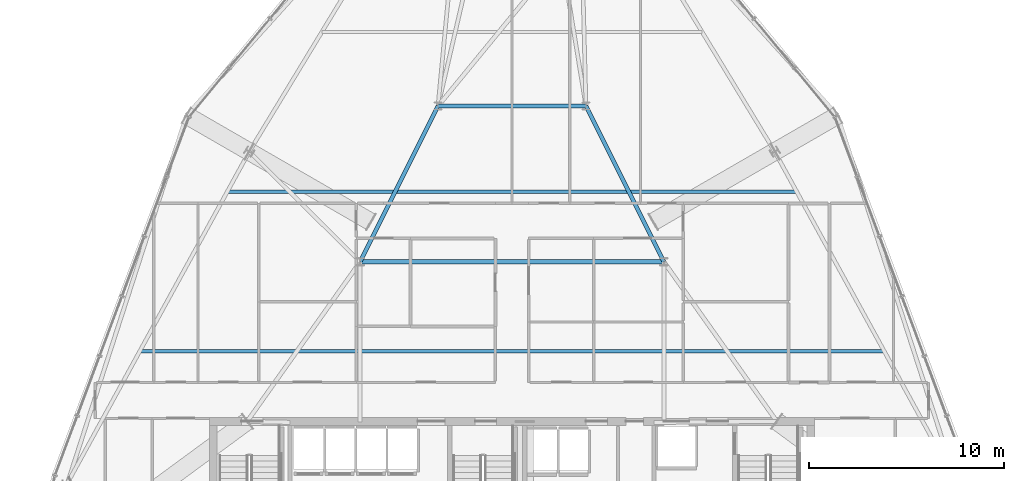
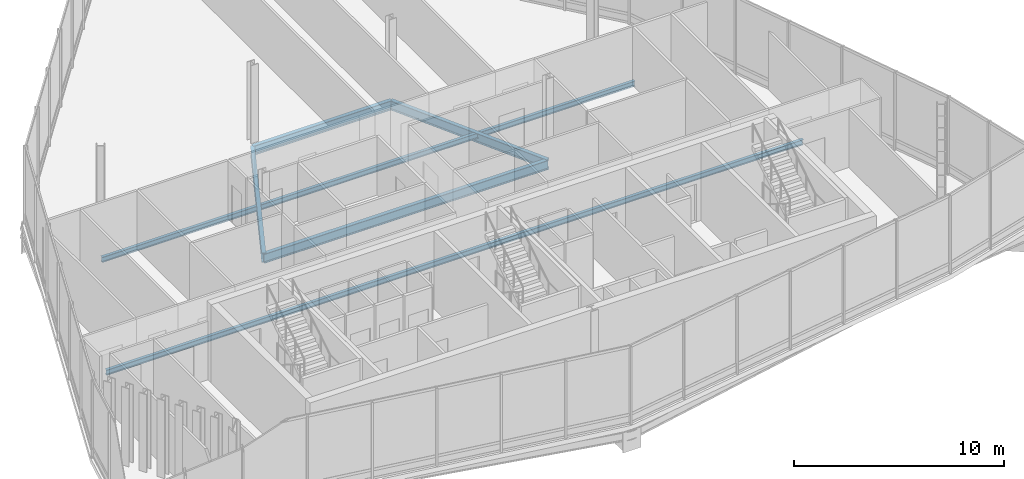
# One storey, part 8 of 29: 6 beams.
"""IFC4 building model written with IfcOpenShell, lengths in metres."""

from ifc_helpers import new_model, si_unit, direction, frame, origin, origin_2d, place, context, subcontext, project, spatial, i_section, extrude, material, material_profile, profile_set, type_object, element, save


model = new_model("IFC4")

# Units and contexts
model_context = context("Model", 3, precision=1e-05, world=origin(), true_north=direction((0.0, 1.0)))
body_context = subcontext(model_context, "Body", "Model", "MODEL_VIEW")
ifc_project = project(units=[si_unit("LENGTHUNIT", "METRE"), si_unit("AREAUNIT", "SQUARE_METRE"), si_unit("VOLUMEUNIT", "CUBIC_METRE"), si_unit("PLANEANGLEUNIT", "RADIAN"), si_unit("MASSUNIT", "GRAM", prefix="KILO")], contexts=[model_context])

# Site, building, storey
site_placement = place(None, origin())
site = spatial("IfcSite", under=ifc_project, at=site_placement, CompositionType="ELEMENT")
building_placement = place(site_placement, origin())
building = spatial("IfcBuilding", under=site, at=building_placement, Name="Ndaravel Arena Tower", CompositionType="ELEMENT")
storey_placement = place(building_placement, frame((0.0, 0.0, 208.39990234375)))
storey = spatial("IfcBuildingStorey", under=building, at=storey_placement, Name="L50", CompositionType="ELEMENT", Elevation=208.39990234375)

# Beams
ifc_material_1 = material(Name="Steel S355", Category="steel")
ifc_material_profile_1 = material_profile(ifc_material_1, i_section(OverallWidth=0.210693359375, OverallDepth=0.53955078125, WebThickness=0.01171875, FlangeThickness=0.018798828125, FilletRadius=0.0126953125, at=origin_2d()), Name="UB 533x210x109")
ifc_profile_set_1 = profile_set([ifc_material_profile_1], Name="Steel S355")
beam_type_1 = type_object("IfcBeamType", Name="BM-GIRD-UB533", PredefinedType="BEAM", material=ifc_profile_set_1)
beam_1_placement = place(storey_placement, frame((34.199951171875, 23.199951171875, -0.549560546875), z_axis=(1.0, 0.0, 0.0), x_axis=(0.0, 1.0, 0.0)))
element("IfcBeam", 1, at=beam_1_placement, inside=storey, type_object=beam_type_1, Name="L50 Spine Link Girder SLG-03", PredefinedType="BEAM", context=body_context, shape_type="SweptSolid", body=[
    extrude(i_section(OverallWidth=0.210693359375, OverallDepth=0.53955078125, WebThickness=0.01171875, FlangeThickness=0.018798828125, FilletRadius=0.0126953125, at=origin_2d()), origin(), (0.0, 0.0, 1.0), 15.60009765625),
])
for number, where, z_axis, x_axis, name in (
    (2, (34.199951171875, 23.199951171875, -0.549560546875), (0.4472135955, 0.894427191, 0.0), (-0.894427191, 0.4472135955, 0.0), "L50 Spine Link Girder SLG-04"),
    (3, (49.800048828125, 23.199951171875, -0.549560546875), (-0.4472135955, 0.894427191, 0.0), (-0.894427191, -0.4472135955, 0.0), "L50 Spine Link Girder SLG-05"),
):
    element("IfcBeam", number, at=place(storey_placement, frame(where, z_axis=z_axis, x_axis=x_axis)), inside=storey, type_object=beam_type_1, Name=name, PredefinedType="BEAM", context=body_context, shape_type="SweptSolid", body=[
        extrude(i_section(OverallWidth=0.210693359375, OverallDepth=0.53955078125, WebThickness=0.01171875, FlangeThickness=0.018798828125, FilletRadius=0.0126953125, at=origin_2d()), origin(), (0.0, 0.0, 1.0), 8.9443359375),
    ])
beam_2_placement = place(storey_placement, frame((38.199951171875, 31.199951171875, -0.549560546875), z_axis=(1.0, 0.0, 0.0), x_axis=(0.0, 1.0, 0.0)))
element("IfcBeam", 4, at=beam_2_placement, inside=storey, type_object=beam_type_1, Name="L50 Spine Link Girder SLG-06", PredefinedType="BEAM", context=body_context, shape_type="SweptSolid", body=[
    extrude(i_section(OverallWidth=0.210693359375, OverallDepth=0.53955078125, WebThickness=0.01171875, FlangeThickness=0.018798828125, FilletRadius=0.0126953125, at=origin_2d()), origin(), (0.0, 0.0, 1.0), 7.60009765625),
])
ifc_material_2 = material(Name="Steel S355", Category="steel")
ifc_material_profile_2 = material_profile(ifc_material_2, i_section(OverallWidth=0.165771484375, OverallDepth=0.306640625, WebThickness=0.006591796875, FlangeThickness=0.01171875, FilletRadius=0.0087890625, at=origin_2d()), Name="UB 305x165x46")
ifc_profile_set_2 = profile_set([ifc_material_profile_2], Name="Steel S355")
beam_type_2 = type_object("IfcBeamType", Name="BM-JOIST-UB305", PredefinedType="JOIST", material=ifc_profile_set_2)
beam_3_placement = place(storey_placement, frame((22.875, 18.60009765625, -0.43310546875), z_axis=(1.0, 0.0, 0.0), x_axis=(0.0, 1.0, 0.0)))
element("IfcBeam", 5, at=beam_3_placement, inside=storey, type_object=beam_type_2, Name="L50 Composite Floor Joist FJ-01", PredefinedType="JOIST", context=body_context, shape_type="SweptSolid", body=[
    extrude(i_section(OverallWidth=0.165771484375, OverallDepth=0.306640625, WebThickness=0.006591796875, FlangeThickness=0.01171875, FilletRadius=0.0087890625, at=origin_2d()), origin(), (0.0, 0.0, 1.0), 38.25),
])
beam_4_placement = place(storey_placement, frame((27.373046875, 26.800048828125, -0.43310546875), z_axis=(1.0, 0.0, 0.0), x_axis=(0.0, 1.0, 0.0)))
element("IfcBeam", 6, at=beam_4_placement, inside=storey, type_object=beam_type_2, Name="L50 Composite Floor Joist FJ-02", PredefinedType="JOIST", context=body_context, shape_type="SweptSolid", body=[
    extrude(i_section(OverallWidth=0.165771484375, OverallDepth=0.306640625, WebThickness=0.006591796875, FlangeThickness=0.01171875, FilletRadius=0.0087890625, at=origin_2d()), origin(), (0.0, 0.0, 1.0), 29.25390625),
])

save(model, "model.ifc")
